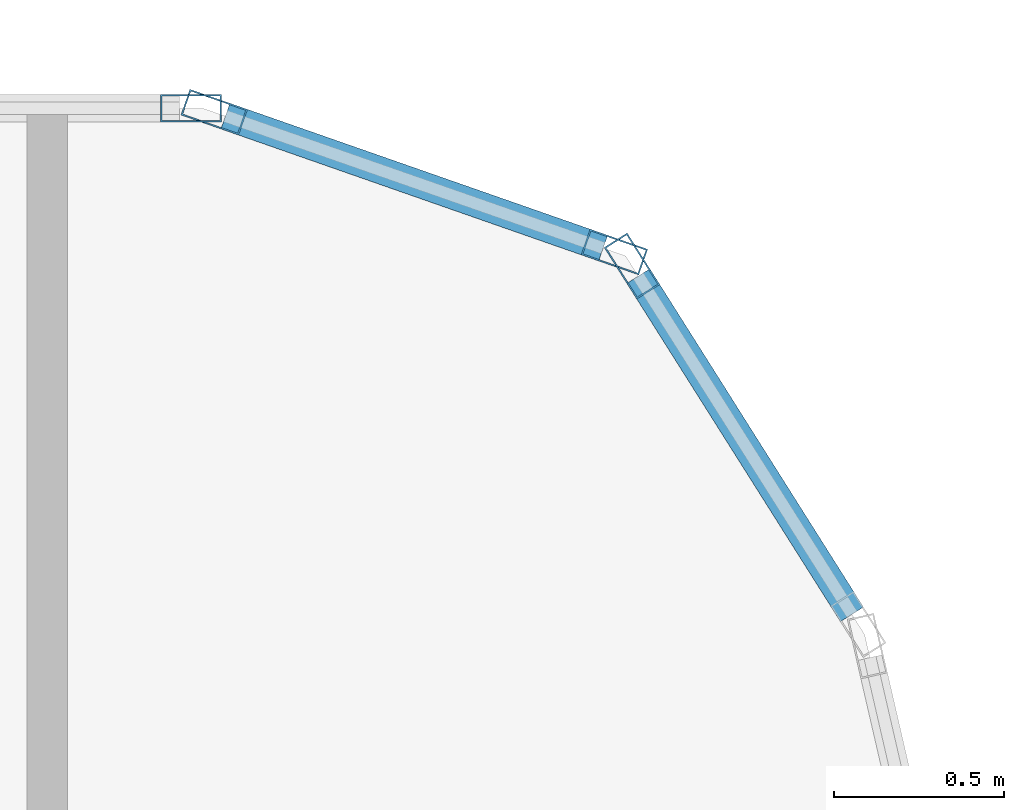
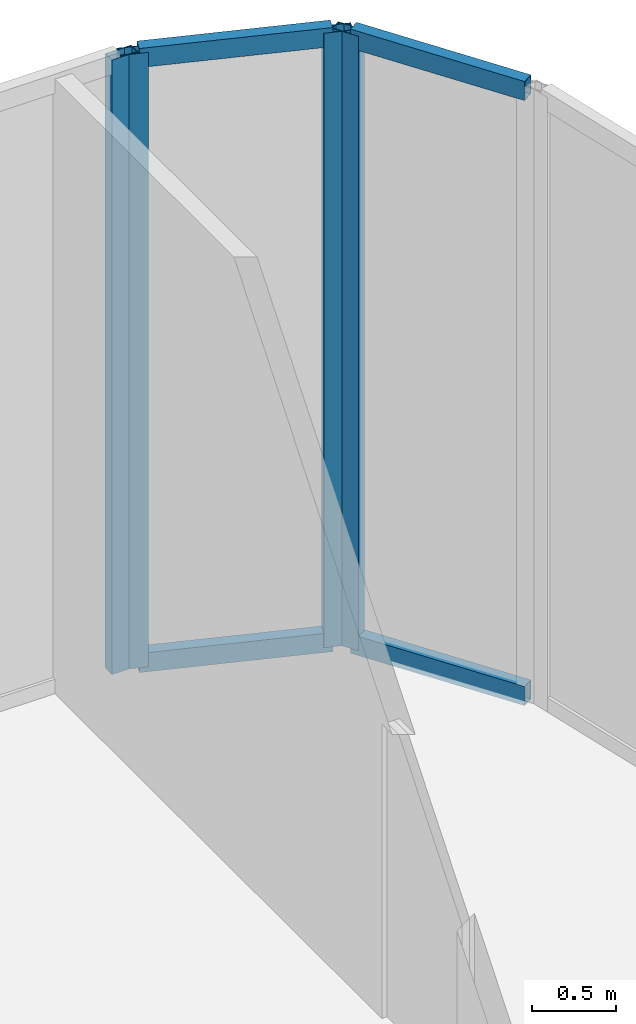
# One storey, part 21 of 29: 8 members, 3 elements without a shape of their own.
"""IFC4 building model written with IfcOpenShell, lengths in metres."""

from ifc_helpers import new_model, si_unit, direction, frame, origin, origin_2d, place, context, subcontext, project, spatial, hollow_rectangle, extrude, material, layer, layer_set, material_profile, profile_set, type_object, element, aggregate, save


model = new_model("IFC4")

# Units and contexts
model_context = context("Model", 3, precision=1e-05, world=origin(), true_north=direction((0.0, 1.0)))
body_context = subcontext(model_context, "Body", "Model", "MODEL_VIEW")
ifc_project = project(units=[si_unit("LENGTHUNIT", "METRE"), si_unit("AREAUNIT", "SQUARE_METRE"), si_unit("VOLUMEUNIT", "CUBIC_METRE"), si_unit("PLANEANGLEUNIT", "RADIAN"), si_unit("MASSUNIT", "GRAM", prefix="KILO")], contexts=[model_context])

# Site, building, storey
site_placement = place(None, origin())
site = spatial("IfcSite", under=ifc_project, at=site_placement, CompositionType="ELEMENT")
building_placement = place(site_placement, origin())
building = spatial("IfcBuilding", under=site, at=building_placement, Name="Keshet Zoharim Tower", CompositionType="ELEMENT")
storey_placement = place(building_placement, frame((0.0, 0.0, 218.0)))
storey = spatial("IfcBuildingStorey", under=building, at=storey_placement, Name="L54", CompositionType="ELEMENT", Elevation=218.0)

# Curtain wall, member
ifc_material = material(Name="Aluminium 6063-T6", Category="aluminium")
ifc_layer = layer(ifc_material, 0.14990234375)
ifc_layer_set = layer_set([ifc_layer], Name="Aluminium 6063-T6")
curtain_wall_type = type_object("IfcCurtainWallType", Name="CW-SYS-04", PredefinedType="NOTDEFINED", material=ifc_layer_set)
curtain_wall_1_placement = place(storey_placement, origin())
curtain_wall_1 = element("IfcCurtainWall", 1, at=curtain_wall_1_placement, inside=storey, type_object=curtain_wall_type, Name="L54 Unitised Curtain Wall 16 Part 3", PredefinedType="NOTDEFINED")
ifc_material_profile_1 = material_profile(ifc_material, hollow_rectangle(XDim=0.080078125, YDim=0.179931640625, WallThickness=0.00439453125, at=origin_2d()), Name="MUL-80x180")
ifc_profile_set_1 = profile_set([ifc_material_profile_1], Name="Aluminium 6063-T6")
member_type_1 = type_object("IfcMemberType", Name="CWM-M18", PredefinedType="MULLION", material=ifc_profile_set_1)
member_1_placement = place(storey_placement, frame((37.3740234375, 53.89990234375, 0.0), z_axis=(0.0, 0.0, 1.0), x_axis=(0.0, 1.0, 0.0)))
member_1 = element("IfcMember", 2, at=member_1_placement, type_object=member_type_1, Name="CW-04 mullion 3", PredefinedType="MULLION", context=body_context, shape_type="SweptSolid", body=[
    extrude(hollow_rectangle(XDim=0.080078125, YDim=0.179931640625, WallThickness=0.00439453125, at=origin_2d()), origin(), (0.0, 0.0, 1.0), 4.489990234375),
])
aggregate(curtain_wall_1, [member_1])

# Curtain wall, members
curtain_wall_2_placement = place(storey_placement, origin())
curtain_wall_2 = element("IfcCurtainWall", 3, at=curtain_wall_2_placement, inside=storey, type_object=curtain_wall_type, Name="L54 Unitised Curtain Wall 17", PredefinedType="NOTDEFINED")
member_2_placement = place(storey_placement, frame((37.442138671875, 53.888427734375, 0.0), z_axis=(0.0, 0.0, 1.0), x_axis=(0.329843743636, 0.944035542119, 0.0)))
member_2 = element("IfcMember", 4, at=member_2_placement, type_object=member_type_1, Name="CW-04 mullion 1", PredefinedType="MULLION", context=body_context, shape_type="SweptSolid", body=[
    extrude(hollow_rectangle(XDim=0.080078125, YDim=0.179931640625, WallThickness=0.00439453125, at=origin_2d()), origin(), (0.0, 0.0, 1.0), 4.489990234375),
])
member_3_placement = place(storey_placement, frame((38.620849609375, 53.4765625, 0.0), z_axis=(0.0, 0.0, 1.0), x_axis=(0.329843743636, 0.944035542119, 0.0)))
member_3 = element("IfcMember", 5, at=member_3_placement, type_object=member_type_1, Name="CW-04 mullion 2", PredefinedType="MULLION", context=body_context, shape_type="SweptSolid", body=[
    extrude(hollow_rectangle(XDim=0.080078125, YDim=0.179931640625, WallThickness=0.00439453125, at=origin_2d()), origin(), (0.0, 0.0, 1.0), 4.489990234375),
])

# Curtain wall, member
curtain_wall_3_placement = place(storey_placement, origin())
curtain_wall_3 = element("IfcCurtainWall", 6, at=curtain_wall_3_placement, inside=storey, type_object=curtain_wall_type, Name="L54 Unitised Curtain Wall 18", PredefinedType="NOTDEFINED")
member_4_placement = place(storey_placement, frame((38.672607421875, 53.435302734375, 0.0), z_axis=(0.0, 0.0, 1.0), x_axis=(0.845560976183, 0.533878858502, 0.0)))
member_4 = element("IfcMember", 7, at=member_4_placement, type_object=member_type_1, Name="CW-04 mullion 1", PredefinedType="MULLION", context=body_context, shape_type="SweptSolid", body=[
    extrude(hollow_rectangle(XDim=0.080078125, YDim=0.179931640625, WallThickness=0.00439453125, at=origin_2d()), origin(), (0.0, 0.0, 1.0), 4.489990234375),
])

# Member
ifc_material_profile_2 = material_profile(ifc_material, hollow_rectangle(XDim=0.080078125, YDim=0.139892578125, WallThickness=0.00390625, at=origin_2d()), Name="TRN-80x140")
ifc_profile_set_2 = profile_set([ifc_material_profile_2], Name="Aluminium 6063-T6")
member_type_2 = type_object("IfcMemberType", Name="CWT-T14", PredefinedType="USERDEFINED", material=ifc_profile_set_2)
member_5_placement = place(storey_placement, frame((37.47509765625, 53.876953125, 0.034912109375), z_axis=(0.944006789648, -0.329926023675, 0.0), x_axis=(0.329926023675, 0.944006789648, 0.0)))
member_5 = element("IfcMember", 8, at=member_5_placement, type_object=member_type_2, Name="CW-04 transom 1.1", ObjectType="TRANSOM", PredefinedType="USERDEFINED", context=body_context, shape_type="SweptSolid", body=[
    extrude(hollow_rectangle(XDim=0.080078125, YDim=0.139892578125, WallThickness=0.00390625, at=origin_2d()), origin(), (0.0, 0.0, 1.0), 1.1787109375),
])

member_6_placement = place(storey_placement, frame((37.47509765625, 53.876953125, 4.455078125), z_axis=(0.944006789648, -0.329926023675, 0.0), x_axis=(0.329926023675, 0.944006789648, 0.0)))
member_6 = element("IfcMember", 9, at=member_6_placement, type_object=member_type_2, Name="CW-04 transom 1.2", ObjectType="TRANSOM", PredefinedType="USERDEFINED", context=body_context, shape_type="SweptSolid", body=[
    extrude(hollow_rectangle(XDim=0.080078125, YDim=0.139892578125, WallThickness=0.00390625, at=origin_2d()), origin(), (0.0, 0.0, 1.0), 1.1787109375),
])

aggregate(curtain_wall_2, [member_2, member_3, member_5, member_6])

member_7_placement = place(storey_placement, frame((38.69140625, 53.40576171875, 0.034912109375), z_axis=(0.53382931122, -0.845592257819, 0.0), x_axis=(0.845592257819, 0.53382931122, 0.0)))
member_7 = element("IfcMember", 10, at=member_7_placement, type_object=member_type_2, Name="CW-04 transom 1.1", ObjectType="TRANSOM", PredefinedType="USERDEFINED", context=body_context, shape_type="SweptSolid", body=[
    extrude(hollow_rectangle(XDim=0.080078125, YDim=0.139892578125, WallThickness=0.00390625, at=origin_2d()), origin(), (0.0, 0.0, 1.0), 1.178466796875),
])

member_8_placement = place(storey_placement, frame((38.69140625, 53.40576171875, 4.455078125), z_axis=(0.53382931122, -0.845592257819, 0.0), x_axis=(0.845592257819, 0.53382931122, 0.0)))
member_8 = element("IfcMember", 11, at=member_8_placement, type_object=member_type_2, Name="CW-04 transom 1.2", ObjectType="TRANSOM", PredefinedType="USERDEFINED", context=body_context, shape_type="SweptSolid", body=[
    extrude(hollow_rectangle(XDim=0.080078125, YDim=0.139892578125, WallThickness=0.00390625, at=origin_2d()), origin(), (0.0, 0.0, 1.0), 1.178466796875),
])

aggregate(curtain_wall_3, [member_4, member_7, member_8])

save(model, "model.ifc")
